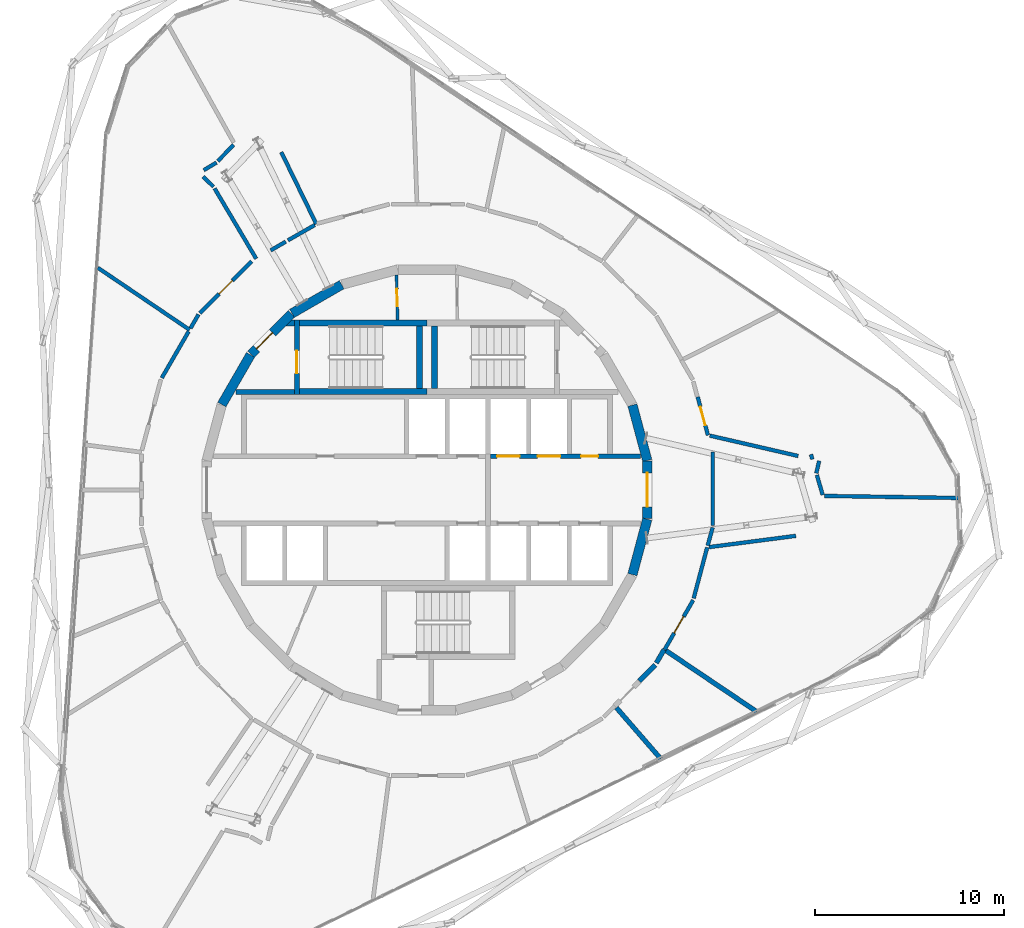
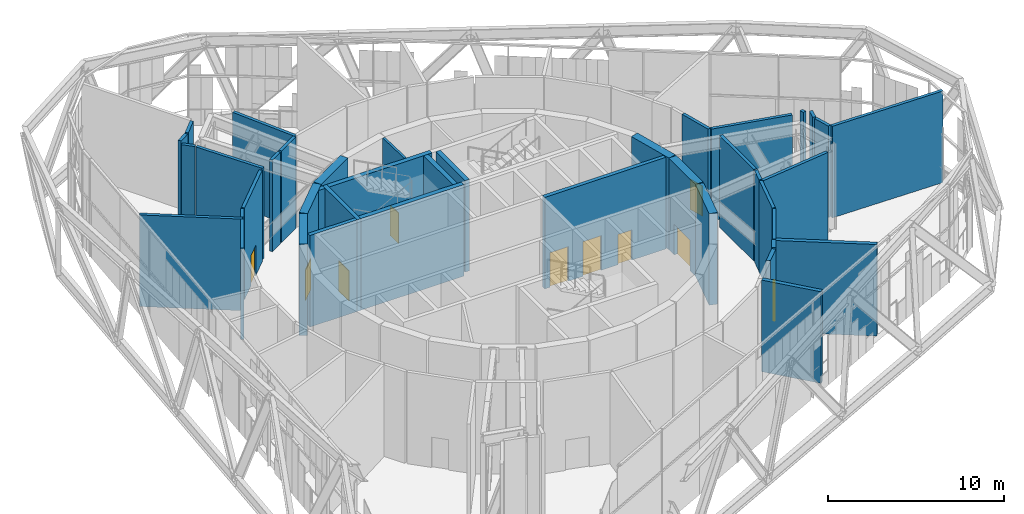
# One storey, part 20 of 24: 41 walls, 10 doors, 10 openings.
"""IFC4 building model written with IfcOpenShell, lengths in metres."""

from ifc_helpers import new_model, si_unit, direction, frame, frame_2d, origin, place, context, subcontext, project, spatial, polyline, rectangle, outline, extrude, material, layer, layer_set, type_object, element, fill, save


model = new_model("IFC4")

# Units and contexts
model_context = context("Model", 3, precision=1e-05, world=origin(), true_north=direction((0.0, 1.0)))
body_context = subcontext(model_context, "Body", "Model", "MODEL_VIEW")
ifc_project = project(units=[si_unit("LENGTHUNIT", "METRE"), si_unit("AREAUNIT", "SQUARE_METRE"), si_unit("VOLUMEUNIT", "CUBIC_METRE"), si_unit("PLANEANGLEUNIT", "RADIAN"), si_unit("MASSUNIT", "GRAM", prefix="KILO")], contexts=[model_context])

# Site, building, storey
site_placement = place(None, origin())
site = spatial("IfcSite", under=ifc_project, at=site_placement, CompositionType="ELEMENT")
building_placement = place(site_placement, origin())
building = spatial("IfcBuilding", under=site, at=building_placement, Name="Spindle Arch Residences", CompositionType="ELEMENT")
storey_placement = place(building_placement, frame((0.0, 0.0, 219.89990234375)))
storey = spatial("IfcBuildingStorey", under=building, at=storey_placement, Name="L56", CompositionType="ELEMENT", Elevation=219.89990234375)

# Wall
ifc_material_1 = material(Name="Concrete C50/60", Category="concrete")
ifc_layer_1 = layer(ifc_material_1, 0.5)
ifc_layer_set_1 = layer_set([ifc_layer_1], Name="Core outline wall 500")
wall_type_1 = type_object("IfcWallType", Name="Core outline wall 500", PredefinedType="SHEAR", material=ifc_layer_set_1)
wall_1_placement = place(storey_placement, frame((10.858154296875, -4.479248046875, 0.0), z_axis=(0.0, 0.0, 1.0), x_axis=(0.258734743916, 0.965948410781, 0.0)))
element("IfcWall", 1, at=wall_1_placement, inside=storey, type_object=wall_type_1, Name="Core outline wall 5", PredefinedType="SHEAR", context=body_context, shape_type="SweptSolid", body=[
    extrude(rectangle(XDim=3.03271484375, YDim=0.5, at=frame_2d((1.516357421875, 0.0))), origin(), (0.0, 0.0, 1.0), 6.35009765625),
])

# Wall, opening, door
wall_2_placement = place(storey_placement, frame((11.647216796875, -1.516357421875, 0.0), z_axis=(0.0, 0.0, 1.0), x_axis=(0.0, 1.0, 0.0)))
wall_2 = element("IfcWall", 2, at=wall_2_placement, inside=storey, type_object=wall_type_1, Name="Core outline wall 6", PredefinedType="SHEAR", context=body_context, shape_type="SweptSolid", body=[
    extrude(rectangle(XDim=3.03271484375, YDim=0.5, at=frame_2d((1.516357421875, 0.0))), origin(), (0.0, 0.0, 1.0), 6.35009765625),
])
opening_1_placement = place(wall_2_placement, frame((0.6162109375, 0.0, 0.0)))
opening_1 = element("IfcOpeningElement", 3, at=opening_1_placement, cuts=wall_2, Name="Opening L56-FE01", PredefinedType="OPENING", context=body_context, shape_type="SweptSolid", body=[
    extrude(rectangle(XDim=1.800048828125, YDim=2.10009765625, at=frame_2d((0.89990234375, 1.050048828125))), frame((0.0, 0.260009765625, 0.0), z_axis=(0.0, -1.0, 0.0), x_axis=(1.0, 0.0, 0.0)), (0.0, 0.0, 1.0), 0.52001953125),
])
ifc_material_2 = material(Name="Steel, fire-resisting door", Category="steel")
door_type_1 = type_object("IfcDoorType", Name="Fire-lift lobby door 1800x2100", OperationType="DOUBLE_DOOR_SINGLE_SWING", PredefinedType="DOOR", material=ifc_material_2)
door_1_placement = place(opening_1_placement, origin())
door_1 = element("IfcDoor", 4, at=door_1_placement, inside=storey, type_object=door_type_1, Name="Fire-lift lobby door L56-FE01", OperationType="DOUBLE_DOOR_SINGLE_SWING", OverallHeight=2.10009765625, OverallWidth=1.800048828125, PredefinedType="DOOR", context=body_context, shape_type="SweptSolid", body=[
    extrude(rectangle(XDim=1.800048828125, YDim=2.10009765625, at=frame_2d((0.89990234375, 1.050048828125))), frame((0.0, 0.02490234375, 0.0), z_axis=(0.0, -1.0, 0.0), x_axis=(1.0, 0.0, 0.0)), (0.0, 0.0, 1.0), 0.050048828125),
])
fill(opening_1, door_1)

# Walls
for number, where, z_axis, x_axis, name in (
    (5, (11.642822265625, 1.5498046875, 0.0), (0.0, 0.0, 1.0), (-0.258734743916, 0.965948410781, 0.0), "Core outline wall 7"),
    (6, (-4.510498046875, 10.84521484375, 0.0), (0.0, 0.0, 1.0), (-0.865975092491, -0.500087131594, 0.0), "Core outline wall 14"),
):
    element("IfcWall", number, at=place(storey_placement, frame(where, z_axis=z_axis, x_axis=x_axis)), inside=storey, type_object=wall_type_1, Name=name, PredefinedType="SHEAR", context=body_context, shape_type="SweptSolid", body=[
        extrude(rectangle(XDim=3.03271484375, YDim=0.5, at=frame_2d((1.516357421875, 0.0))), origin(), (0.0, 0.0, 1.0), 6.35009765625),
    ])

# Wall, opening, door
wall_3_placement = place(storey_placement, frame((-7.163818359375, 9.30810546875, 0.0), z_axis=(0.0, 0.0, 1.0), x_axis=(-0.707106781187, -0.707106781187, 0.0)))
wall_3 = element("IfcWall", 7, at=wall_3_placement, inside=storey, type_object=wall_type_1, Name="Core outline wall 15", PredefinedType="SHEAR", context=body_context, shape_type="SweptSolid", body=[
    extrude(rectangle(XDim=3.032470703125, YDim=0.5, at=frame_2d((1.51611328125, 0.0))), origin(), (0.0, 0.0, 1.0), 6.35009765625),
])
opening_2_placement = place(wall_3_placement, frame((1.416259765625, 0.0, 0.0)))
opening_2 = element("IfcOpeningElement", 8, at=opening_2_placement, cuts=wall_3, Name="Opening L56-AD02", PredefinedType="OPENING", context=body_context, shape_type="SweptSolid", body=[
    extrude(rectangle(XDim=1.199951171875, YDim=2.10009765625, at=frame_2d((0.60009765625, 1.050048828125))), frame((0.0, 0.260009765625, 0.0), z_axis=(0.0, -1.0, 0.0), x_axis=(1.0, 0.0, 0.0)), (0.0, 0.0, 1.0), 0.52001953125),
])
ifc_material_3 = material(Name="Steel, fire-resisting door", Category="steel")
door_type_2 = type_object("IfcDoorType", Name="Stair airlock door 1200x2100", OperationType="SINGLE_SWING_LEFT", PredefinedType="DOOR", material=ifc_material_3)
door_2_placement = place(opening_2_placement, origin())
door_2 = element("IfcDoor", 9, at=door_2_placement, inside=storey, type_object=door_type_2, Name="Stair airlock door L56-AD02", OperationType="SINGLE_SWING_RIGHT", OverallHeight=2.10009765625, OverallWidth=1.199951171875, PredefinedType="DOOR", context=body_context, shape_type="SweptSolid", body=[
    extrude(rectangle(XDim=1.199951171875, YDim=2.10009765625, at=frame_2d((0.60009765625, 1.050048828125))), frame((0.0, 0.02490234375, 0.0), z_axis=(0.0, -1.0, 0.0), x_axis=(1.0, 0.0, 0.0)), (0.0, 0.0, 1.0), 0.050048828125),
])
fill(opening_2, door_2)

# Wall
wall_4_placement = place(storey_placement, frame((-9.32861328125, 7.13671875, 0.0), z_axis=(0.0, 0.0, 1.0), x_axis=(-0.500087131594, -0.865975092491, 0.0)))
element("IfcWall", 10, at=wall_4_placement, inside=storey, type_object=wall_type_1, Name="Core outline wall 16", PredefinedType="SHEAR", context=body_context, shape_type="SweptSolid", body=[
    extrude(rectangle(XDim=3.03271484375, YDim=0.5, at=frame_2d((1.516357421875, 0.0))), origin(), (0.0, 0.0, 1.0), 6.35009765625),
])

# Wall, openings, doors
ifc_material_4 = material(Name="Concrete C40/50", Category="concrete")
ifc_layer_2 = layer(ifc_material_4, 0.25)
ifc_layer_set_2 = layer_set([ifc_layer_2], Name="Fire-lift lobby wall 250")
wall_type_2 = type_object("IfcWallType", Name="Fire-lift lobby wall 250", PredefinedType="SHEAR", material=ifc_layer_set_2)
wall_5_placement = place(storey_placement, frame((3.35009765625, 1.77490234375, 0.0), z_axis=(0.0, 0.0, 1.0), x_axis=(1.0, 0.0, 0.0)))
wall_5 = element("IfcWall", 11, at=wall_5_placement, inside=storey, type_object=wall_type_2, Name="Lift shaft front wall NE", PredefinedType="SHEAR", context=body_context, shape_type="SweptSolid", body=[
    extrude(rectangle(XDim=7.929931640625, YDim=0.25, at=frame_2d((3.96484375, 0.0))), origin(), (0.0, 0.0, 1.0), 6.35009765625),
])
opening_3_placement = place(wall_5_placement, frame((0.35009765625, 0.0, 0.0)))
opening_3 = element("IfcOpeningElement", 12, at=opening_3_placement, cuts=wall_5, Name="Opening L56-SLD01", PredefinedType="OPENING", context=body_context, shape_type="SweptSolid", body=[
    extrude(rectangle(XDim=1.199951171875, YDim=2.39990234375, at=frame_2d((0.60009765625, 1.199951171875))), frame((0.0, 0.135009765625, 0.0), z_axis=(0.0, -1.0, 0.0), x_axis=(1.0, 0.0, 0.0)), (0.0, 0.0, 1.0), 0.27001953125),
])
opening_4_placement = place(wall_5_placement, frame((2.5, 0.0, 0.0)))
opening_4 = element("IfcOpeningElement", 13, at=opening_4_placement, cuts=wall_5, Name="Opening L56-SLD02", PredefinedType="OPENING", context=body_context, shape_type="SweptSolid", body=[
    extrude(rectangle(XDim=1.199951171875, YDim=2.39990234375, at=frame_2d((0.60009765625, 1.199951171875))), frame((0.0, 0.135009765625, 0.0), z_axis=(0.0, -1.0, 0.0), x_axis=(1.0, 0.0, 0.0)), (0.0, 0.0, 1.0), 0.27001953125),
])
opening_5_placement = place(wall_5_placement, frame((4.800048828125, 0.0, 0.0)))
opening_5 = element("IfcOpeningElement", 14, at=opening_5_placement, cuts=wall_5, Name="Opening L56-WD02", PredefinedType="OPENING", context=body_context, shape_type="SweptSolid", body=[
    extrude(rectangle(XDim=0.89990234375, YDim=2.10009765625, at=frame_2d((0.449951171875, 1.050048828125))), frame((0.0, 0.135009765625, 0.0), z_axis=(0.0, -1.0, 0.0), x_axis=(1.0, 0.0, 0.0)), (0.0, 0.0, 1.0), 0.27001953125),
])
ifc_material_5 = material(Name="Steel, fire-resisting landing door", Category="steel")
door_type_3 = type_object("IfcDoorType", Name="Service lift landing door 1200x2400", OperationType="DOUBLE_DOOR_SLIDING", PredefinedType="DOOR", material=ifc_material_5)
door_3_placement = place(opening_3_placement, origin())
door_3 = element("IfcDoor", 15, at=door_3_placement, inside=storey, type_object=door_type_3, Name="Service lift landing door L56-SLD01", OperationType="DOUBLE_DOOR_SLIDING", OverallHeight=2.39990234375, OverallWidth=1.199951171875, PredefinedType="DOOR", context=body_context, shape_type="SweptSolid", body=[
    extrude(rectangle(XDim=1.199951171875, YDim=2.39990234375, at=frame_2d((0.60009765625, 1.199951171875))), frame((0.0, 0.02490234375, 0.0), z_axis=(0.0, -1.0, 0.0), x_axis=(1.0, 0.0, 0.0)), (0.0, 0.0, 1.0), 0.050048828125),
])
fill(opening_3, door_3)
door_4_placement = place(opening_4_placement, origin())
door_4 = element("IfcDoor", 16, at=door_4_placement, inside=storey, type_object=door_type_3, Name="Service lift landing door L56-SLD02", OperationType="DOUBLE_DOOR_SLIDING", OverallHeight=2.39990234375, OverallWidth=1.199951171875, PredefinedType="DOOR", context=body_context, shape_type="SweptSolid", body=[
    extrude(rectangle(XDim=1.199951171875, YDim=2.39990234375, at=frame_2d((0.60009765625, 1.199951171875))), frame((0.0, 0.02490234375, 0.0), z_axis=(0.0, -1.0, 0.0), x_axis=(1.0, 0.0, 0.0)), (0.0, 0.0, 1.0), 0.050048828125),
])
fill(opening_4, door_4)
ifc_material_6 = material(Name="Steel, fire-resisting door", Category="steel")
door_type_4 = type_object("IfcDoorType", Name="Service room door 900x2100", OperationType="SINGLE_SWING_LEFT", PredefinedType="DOOR", material=ifc_material_6)
door_5_placement = place(opening_5_placement, origin())
door_5 = element("IfcDoor", 17, at=door_5_placement, inside=storey, type_object=door_type_4, Name="Service room door L56-WD02", OperationType="SINGLE_SWING_RIGHT", OverallHeight=2.10009765625, OverallWidth=0.89990234375, PredefinedType="DOOR", context=body_context, shape_type="SweptSolid", body=[
    extrude(rectangle(XDim=0.89990234375, YDim=2.10009765625, at=frame_2d((0.449951171875, 1.050048828125))), frame((0.0, 0.02490234375, 0.0), z_axis=(0.0, -1.0, 0.0), x_axis=(1.0, 0.0, 0.0)), (0.0, 0.0, 1.0), 0.050048828125),
])
fill(opening_5, door_5)

# Walls
ifc_material_7 = material(Name="Concrete C25/30 wall", Category="concrete")
ifc_layer_3 = layer(ifc_material_7, 0.25)
ifc_layer_set_3 = layer_set([ifc_layer_3], Name="Partition EI 120 250 store")
wall_type_3 = type_object("IfcWallType", Name="Partition EI 120 250 store", PredefinedType="PARTITIONING", material=ifc_layer_set_3)
wall_6_placement = place(storey_placement, frame((10.011962890625, -11.514404296875, 0.0), z_axis=(0.0, 0.0, 1.0), x_axis=(0.655248263948, -0.755413603659, 0.0)))
element("IfcWall", 18, at=wall_6_placement, inside=storey, type_object=wall_type_3, Name="L56-W052", PredefinedType="PARTITIONING", context=body_context, shape_type="SweptSolid", body=[
    extrude(rectangle(XDim=3.568359375, YDim=0.25, at=frame_2d((1.7841796875, 0.0))), origin(), (0.0, 0.0, 1.0), 6.35009765625),
])
wall_7_placement = place(storey_placement, frame((11.219970703125, -10.10009765625, 0.0), z_axis=(0.0, 0.0, 1.0), x_axis=(0.707106781187, 0.707106781187, 0.0)))
element("IfcWall", 19, at=wall_7_placement, inside=storey, type_object=wall_type_3, Name="L56-W053", PredefinedType="PARTITIONING", context=body_context, shape_type="SweptSolid", body=[
    extrude(rectangle(XDim=1.18798828125, YDim=0.25, at=frame_2d((0.593994140625, 0.0))), origin(), (0.0, 0.0, 1.0), 6.35009765625),
])
wall_8_placement = place(storey_placement, frame((12.122802734375, -9.15185546875, 0.0), z_axis=(0.0, 0.0, 1.0), x_axis=(0.501830648268, 0.864965895546, 0.0)))
element("IfcWall", 20, at=wall_8_placement, inside=storey, type_object=wall_type_3, Name="L56-W054", PredefinedType="PARTITIONING", context=body_context, shape_type="SweptSolid", body=[
    extrude(rectangle(XDim=0.8115234375, YDim=0.25, at=frame_2d((0.40576171875, 0.0))), origin(), (0.0, 0.0, 1.0), 6.35009765625),
])
wall_9_placement = place(storey_placement, frame((12.56005859375, -8.449951171875, 0.0), z_axis=(0.0, 0.0, 1.0), x_axis=(0.829670163867, -0.558253902081, 0.0)))
element("IfcWall", 21, at=wall_9_placement, inside=storey, type_object=wall_type_3, Name="L56-W057", PredefinedType="PARTITIONING", context=body_context, shape_type="SweptSolid", body=[
    extrude(rectangle(XDim=5.857666015625, YDim=0.25, at=frame_2d((2.9287109375, 0.0))), origin(), (0.0, 0.0, 1.0), 6.35009765625),
])
ifc_material_8 = material(Name="Gypsum board partition on steel studs", Category="steel")
ifc_layer_4 = layer(ifc_material_8, 0.199951171875)
ifc_layer_set_4 = layer_set([ifc_layer_4], Name="Partition EI 60 200 amenity")
wall_type_4 = type_object("IfcWallType", Name="Partition EI 60 200 amenity", PredefinedType="PARTITIONING", material=ifc_layer_set_4)
wall_10_placement = place(storey_placement, frame((-12.550048828125, 8.4599609375, 0.0), z_axis=(0.0, 0.0, 1.0), x_axis=(-0.82834317232, 0.560221017877, 0.0)))
element("IfcWall", 22, at=wall_10_placement, inside=storey, type_object=wall_type_4, Name="L56-W013", PredefinedType="PARTITIONING", context=body_context, shape_type="SweptSolid", body=[
    extrude(rectangle(XDim=5.85498046875, YDim=0.199951171875, at=frame_2d((2.927490234375, 0.0))), origin(), (0.0, 0.0, 1.0), 6.35009765625),
])
wall_11_placement = place(storey_placement, frame((-12.60009765625, 8.37353515625, 0.0), z_axis=(0.0, 0.0, 1.0), x_axis=(-0.500357861848, -0.865818693542, 0.0)))
element("IfcWall", 23, at=wall_11_placement, inside=storey, type_object=wall_type_4, Name="L56-W014", PredefinedType="PARTITIONING", context=body_context, shape_type="SweptSolid", body=[
    extrude(rectangle(XDim=2.837890625, YDim=0.199951171875, at=frame_2d((1.4189453125, 0.0))), origin(), (0.0, 0.0, 1.0), 6.35009765625),
])
wall_12_placement = place(storey_placement, frame((-12.080078125, 9.27001953125, 0.0), z_axis=(0.0, 0.0, 1.0), x_axis=(-0.501691883225, -0.865046388528, 0.0)))
element("IfcWall", 24, at=wall_12_placement, inside=storey, type_object=wall_type_4, Name="L56-W016", PredefinedType="PARTITIONING", context=body_context, shape_type="SweptSolid", body=[
    extrude(rectangle(XDim=0.83642578125, YDim=0.199951171875, at=frame_2d((0.418212890625, 0.0))), origin(), (0.0, 0.0, 1.0), 6.35009765625),
])
wall_13_placement = place(storey_placement, frame((-11.840087890625, 16.56005859375, 0.0), z_axis=(0.0, 0.0, 1.0), x_axis=(0.719855495036, -0.694123955981, 0.0)))
element("IfcWall", 25, at=wall_13_placement, inside=storey, type_object=wall_type_4, Name="L56-W017", PredefinedType="PARTITIONING", context=body_context, shape_type="SweptSolid", body=[
    extrude(rectangle(XDim=0.778076171875, YDim=0.199951171875, at=frame_2d((0.38916015625, 0.0))), origin(), (0.0, 0.0, 1.0), 6.35009765625),
])
wall_14_placement = place(storey_placement, frame((-11.22900390625, 15.933837890625, 0.0), z_axis=(0.0, 0.0, 1.0), x_axis=(0.509487598, -0.860477999419, 0.0)))
element("IfcWall", 26, at=wall_14_placement, inside=storey, type_object=wall_type_4, Name="L56-W018", PredefinedType="PARTITIONING", context=body_context, shape_type="SweptSolid", body=[
    extrude(rectangle(XDim=4.316162109375, YDim=0.199951171875, at=frame_2d((2.158203125, 0.0))), origin(), (0.0, 0.0, 1.0), 6.35009765625),
])
wall_15_placement = place(storey_placement, frame((-11.1298828125, 17.300048828125, 0.0), z_axis=(0.0, 0.0, 1.0), x_axis=(-0.858594898926, -0.51265465914, 0.0)))
element("IfcWall", 27, at=wall_15_placement, inside=storey, type_object=wall_type_4, Name="L56-W019", PredefinedType="PARTITIONING", context=body_context, shape_type="SweptSolid", body=[
    extrude(rectangle(XDim=0.780517578125, YDim=0.199951171875, at=frame_2d((0.39013671875, 0.0))), origin(), (0.0, 0.0, 1.0), 6.35009765625),
])
wall_16_placement = place(storey_placement, frame((-11.060791015625, 17.372314453125, 0.0), z_axis=(0.0, 0.0, 1.0), x_axis=(0.691515547728, 0.722361576533, 0.0)))
element("IfcWall", 28, at=wall_16_placement, inside=storey, type_object=wall_type_4, Name="L56-W020", PredefinedType="PARTITIONING", context=body_context, shape_type="SweptSolid", body=[
    extrude(rectangle(XDim=1.2109375, YDim=0.199951171875, at=frame_2d((0.60546875, 0.0))), origin(), (0.0, 0.0, 1.0), 6.35009765625),
])

# Wall, opening, door
wall_17_placement = place(storey_placement, frame((-9.27001953125, 12.080078125, 0.0), z_axis=(0.0, 0.0, 1.0), x_axis=(-0.707106781187, -0.707106781187, 0.0)))
wall_17 = element("IfcWall", 29, at=wall_17_placement, inside=storey, type_object=wall_type_4, Name="L56-W025", PredefinedType="PARTITIONING", context=body_context, shape_type="SweptSolid", body=[
    extrude(rectangle(XDim=3.873779296875, YDim=0.199951171875, at=frame_2d((1.93701171875, 0.0))), origin(), (0.0, 0.0, 1.0), 6.35009765625),
])
opening_6_placement = place(wall_17_placement, frame((1.43701171875, 0.0, 0.0)))
opening_6 = element("IfcOpeningElement", 30, at=opening_6_placement, cuts=wall_17, Name="Opening L56-D15", PredefinedType="OPENING", context=body_context, shape_type="SweptSolid", body=[
    extrude(rectangle(XDim=1.0, YDim=2.10009765625, at=frame_2d((0.5, 1.050048828125))), frame((0.0, 0.10986328125, 0.0), z_axis=(0.0, -1.0, 0.0), x_axis=(1.0, 0.0, 0.0)), (0.0, 0.0, 1.0), 0.219970703125),
])
ifc_material_9 = material(Name="Timber door leaf", Category="wood")
door_type_5 = type_object("IfcDoorType", Name="Door 1000x2100 EI 30", OperationType="SINGLE_SWING_LEFT", PredefinedType="DOOR", material=ifc_material_9)
door_6_placement = place(opening_6_placement, origin())
door_6 = element("IfcDoor", 31, at=door_6_placement, inside=storey, type_object=door_type_5, Name="L56-D15", OperationType="SINGLE_SWING_LEFT", OverallHeight=2.10009765625, OverallWidth=1.0, PredefinedType="DOOR", context=body_context, shape_type="SweptSolid", body=[
    extrude(rectangle(XDim=1.0, YDim=2.10009765625, at=frame_2d((0.5, 1.050048828125))), frame((0.0, 0.02490234375, 0.0), z_axis=(0.0, -1.0, 0.0), x_axis=(1.0, 0.0, 0.0)), (0.0, 0.0, 1.0), 0.050048828125),
])
fill(opening_6, door_6)

# Walls
wall_18_placement = place(storey_placement, frame((-7.469970703125, 13.1201171875, 0.0), z_axis=(0.0, 0.0, 1.0), x_axis=(-0.865146697165, -0.501518885372, 0.0)))
element("IfcWall", 32, at=wall_18_placement, inside=storey, type_object=wall_type_4, Name="L56-W031", PredefinedType="PARTITIONING", context=body_context, shape_type="SweptSolid", body=[
    extrude(rectangle(XDim=0.917236328125, YDim=0.199951171875, at=frame_2d((0.45849609375, 0.0))), origin(), (0.0, 0.0, 1.0), 6.35009765625),
])
wall_19_placement = place(storey_placement, frame((-5.85009765625, 14.050048828125, 0.0), z_axis=(0.0, 0.0, 1.0), x_axis=(-0.438381599467, 0.898788948112, 0.0)))
element("IfcWall", 33, at=wall_19_placement, inside=storey, type_object=wall_type_4, Name="L56-W032", PredefinedType="PARTITIONING", context=body_context, shape_type="SweptSolid", body=[
    extrude(rectangle(XDim=4.234130859375, YDim=0.199951171875, at=frame_2d((2.1171875, 0.0))), origin(), (0.0, 0.0, 1.0), 6.35009765625),
])
wall_20_placement = place(storey_placement, frame((-5.936767578125, 14.000244140625, 0.0), z_axis=(0.0, 0.0, 1.0), x_axis=(-0.867532153034, -0.49738110484, 0.0)))
element("IfcWall", 34, at=wall_20_placement, inside=storey, type_object=wall_type_4, Name="L56-W033", PredefinedType="PARTITIONING", context=body_context, shape_type="SweptSolid", body=[
    extrude(rectangle(XDim=1.629150390625, YDim=0.199951171875, at=frame_2d((0.814453125, 0.0))), origin(), (0.0, 0.0, 1.0), 6.35009765625),
])

# Wall, opening, door
wall_21_placement = place(storey_placement, frame((12.557373046875, -8.447265625, 0.0), z_axis=(0.0, 0.0, 1.0), x_axis=(0.500412148236, 0.865787319091, 0.0)))
wall_21 = element("IfcWall", 35, at=wall_21_placement, inside=storey, type_object=wall_type_4, Name="L56-W056", PredefinedType="PARTITIONING", context=body_context, shape_type="SweptSolid", body=[
    extrude(rectangle(XDim=3.02294921875, YDim=0.199951171875, at=frame_2d((1.511474609375, 0.0))), origin(), (0.0, 0.0, 1.0), 6.35009765625),
])
opening_7_placement = place(wall_21_placement, frame((1.011474609375, 0.0, 0.0)))
opening_7 = element("IfcOpeningElement", 36, at=opening_7_placement, cuts=wall_21, Name="Opening L56-D07", PredefinedType="OPENING", context=body_context, shape_type="SweptSolid", body=[
    extrude(rectangle(XDim=1.0, YDim=2.10009765625, at=frame_2d((0.5, 1.050048828125))), frame((0.0, 0.10986328125, 0.0), z_axis=(0.0, -1.0, 0.0), x_axis=(1.0, 0.0, 0.0)), (0.0, 0.0, 1.0), 0.219970703125),
])
door_7_placement = place(opening_7_placement, origin())
door_7 = element("IfcDoor", 37, at=door_7_placement, inside=storey, type_object=door_type_5, Name="L56-D07", OperationType="SINGLE_SWING_LEFT", OverallHeight=2.10009765625, OverallWidth=1.0, PredefinedType="DOOR", context=body_context, shape_type="SweptSolid", body=[
    extrude(rectangle(XDim=1.0, YDim=2.10009765625, at=frame_2d((0.5, 1.050048828125))), frame((0.0, 0.02490234375, 0.0), z_axis=(0.0, -1.0, 0.0), x_axis=(1.0, 0.0, 0.0)), (0.0, 0.0, 1.0), 0.050048828125),
])
fill(opening_7, door_7)

# Walls
wall_22_placement = place(storey_placement, frame((14.095703125, -5.7333984375, 0.0), z_axis=(0.0, 0.0, 1.0), x_axis=(0.256364537332, 0.966580169463, 0.0)))
element("IfcWall", 38, at=wall_22_placement, inside=storey, type_object=wall_type_4, Name="L56-W060", PredefinedType="PARTITIONING", context=body_context, shape_type="SweptSolid", body=[
    extrude(rectangle(XDim=2.786376953125, YDim=0.199951171875, at=frame_2d((1.39306640625, 0.0))), origin(), (0.0, 0.0, 1.0), 6.35009765625),
])
wall_23_placement = place(storey_placement, frame((14.836669921875, -2.943603515625, 0.0), z_axis=(0.0, 0.0, 1.0), x_axis=(0.266269011442, 0.963898756896, 0.0)))
element("IfcWall", 39, at=wall_23_placement, inside=storey, type_object=wall_type_4, Name="L56-W062", PredefinedType="PARTITIONING", context=body_context, shape_type="SweptSolid", body=[
    extrude(rectangle(XDim=0.9892578125, YDim=0.199951171875, at=frame_2d((0.49462890625, 0.0))), origin(), (0.0, 0.0, 1.0), 6.35009765625),
])
wall_24_placement = place(storey_placement, frame((14.9091796875, -3.027099609375, 0.0), z_axis=(0.0, 0.0, 1.0), x_axis=(0.991670322306, 0.128802064645, 0.0)))
element("IfcWall", 40, at=wall_24_placement, inside=storey, type_object=wall_type_4, Name="L56-W063", PredefinedType="PARTITIONING", context=body_context, shape_type="SweptSolid", body=[
    extrude(rectangle(XDim=4.625, YDim=0.199951171875, at=frame_2d((2.3125, 0.0))), origin(), (0.0, 0.0, 1.0), 6.35009765625),
])

# Wall, opening, door
wall_25_placement = place(storey_placement, frame((14.85009765625, 2.889892578125, 0.0), z_axis=(0.0, 0.0, 1.0), x_axis=(-0.258273045435, 0.966071961089, 0.0)))
wall_25 = element("IfcWall", 41, at=wall_25_placement, inside=storey, type_object=wall_type_4, Name="L56-W064", PredefinedType="PARTITIONING", context=body_context, shape_type="SweptSolid", body=[
    extrude(rectangle(XDim=2.091064453125, YDim=0.199951171875, at=frame_2d((1.04541015625, 0.0))), origin(), (0.0, 0.0, 1.0), 6.35009765625),
])
opening_8_placement = place(wall_25_placement, frame((0.54541015625, 0.0, 0.0)))
opening_8 = element("IfcOpeningElement", 42, at=opening_8_placement, cuts=wall_25, Name="Opening L56-D11", PredefinedType="OPENING", context=body_context, shape_type="SweptSolid", body=[
    extrude(rectangle(XDim=1.0, YDim=2.10009765625, at=frame_2d((0.5, 1.050048828125))), frame((0.0, 0.10986328125, 0.0), z_axis=(0.0, -1.0, 0.0), x_axis=(1.0, 0.0, 0.0)), (0.0, 0.0, 1.0), 0.219970703125),
])
door_8_placement = place(opening_8_placement, origin())
door_8 = element("IfcDoor", 43, at=door_8_placement, inside=storey, type_object=door_type_5, Name="L56-D11", OperationType="SINGLE_SWING_LEFT", OverallHeight=2.10009765625, OverallWidth=1.0, PredefinedType="DOOR", context=body_context, shape_type="SweptSolid", body=[
    extrude(rectangle(XDim=1.0, YDim=2.10009765625, at=frame_2d((0.5, 1.050048828125))), frame((0.0, 0.02490234375, 0.0), z_axis=(0.0, -1.0, 0.0), x_axis=(1.0, 0.0, 0.0)), (0.0, 0.0, 1.0), 0.050048828125),
])
fill(opening_8, door_8)

# Walls
wall_26_placement = place(storey_placement, frame((15.10009765625, -1.889892578125, 0.0), z_axis=(0.0, 0.0, 1.0), x_axis=(0.0, 1.0, 0.0)))
element("IfcWall", 44, at=wall_26_placement, inside=storey, type_object=wall_type_4, Name="L56-W065", PredefinedType="PARTITIONING", context=body_context, shape_type="SweptSolid", body=[
    extrude(rectangle(XDim=3.8798828125, YDim=0.199951171875, at=frame_2d((1.93994140625, 0.0))), origin(), (0.0, 0.0, 1.0), 6.35009765625),
])
wall_27_placement = place(storey_placement, frame((19.6201171875, 1.7900390625, 0.0), z_axis=(0.0, 0.0, 1.0), x_axis=(-0.97443236775, 0.224681019849, 0.0)))
element("IfcWall", 45, at=wall_27_placement, inside=storey, type_object=wall_type_4, Name="L56-W067", PredefinedType="PARTITIONING", context=body_context, shape_type="SweptSolid", body=[
    extrude(rectangle(XDim=4.795166015625, YDim=0.199951171875, at=frame_2d((2.3974609375, 0.0))), origin(), (0.0, 0.0, 1.0), 6.35009765625),
])
wall_28_placement = place(storey_placement, frame((20.3701171875, 1.6201171875, 0.0), z_axis=(0.0, 0.0, 1.0), x_axis=(-0.30025502813, 0.953858961316, 0.0)))
element("IfcWall", 46, at=wall_28_placement, inside=storey, type_object=wall_type_4, Name="L56-W068", PredefinedType="PARTITIONING", context=body_context, shape_type="SweptSolid", body=[
    extrude(rectangle(XDim=0.2666015625, YDim=0.199951171875, at=frame_2d((0.13330078125, 0.0))), origin(), (0.0, 0.0, 1.0), 6.35009765625),
])
wall_29_placement = place(storey_placement, frame((20.580078125, 0.8798828125, 0.0), z_axis=(0.0, 0.0, 1.0), x_axis=(0.224672433131, 0.974434347604, 0.0)))
element("IfcWall", 47, at=wall_29_placement, inside=storey, type_object=wall_type_4, Name="L56-W069", PredefinedType="PARTITIONING", context=body_context, shape_type="SweptSolid", body=[
    extrude(rectangle(XDim=0.667236328125, YDim=0.199951171875, at=frame_2d((0.33349609375, 0.0))), origin(), (0.0, 0.0, 1.0), 6.35009765625),
])
wall_30_placement = place(storey_placement, frame((20.915283203125, -0.269287109375, 0.0), z_axis=(0.0, 0.0, 1.0), x_axis=(-0.280153802847, 0.959955127467, 0.0)))
element("IfcWall", 48, at=wall_30_placement, inside=storey, type_object=wall_type_4, Name="L56-W070", PredefinedType="PARTITIONING", context=body_context, shape_type="SweptSolid", body=[
    extrude(rectangle(XDim=1.09716796875, YDim=0.199951171875, at=frame_2d((0.548583984375, 0.0))), origin(), (0.0, 0.0, 1.0), 6.35009765625),
])
wall_31_placement = place(storey_placement, frame((21.003662109375, -0.321044921875, 0.0), z_axis=(0.0, 0.0, 1.0), x_axis=(0.999885546768, -0.01512922221, 0.0)))
element("IfcWall", 49, at=wall_31_placement, inside=storey, type_object=wall_type_4, Name="L56-W071", PredefinedType="PARTITIONING", context=body_context, shape_type="SweptSolid", body=[
    extrude(rectangle(XDim=7.197021484375, YDim=0.199951171875, at=frame_2d((3.5986328125, 0.0))), origin(), (0.0, 0.0, 1.0), 6.35009765625),
])

# Wall, opening, door
ifc_material_10 = material(Name="Concrete C25/30", Category="concrete")
ifc_layer_5 = layer(ifc_material_10, 0.14990234375)
ifc_layer_set_5 = layer_set([ifc_layer_5], Name="Service room partition 150")
wall_type_5 = type_object("IfcWallType", Name="Service room partition 150", PredefinedType="PARTITIONING", material=ifc_layer_set_5)
wall_32_placement = place(storey_placement, frame((-1.555419921875, 8.989990234375, 0.0), z_axis=(0.0, 0.0, 1.0), x_axis=(-0.024125549686, 0.999708936567, 0.0)))
wall_32 = element("IfcWall", 50, at=wall_32_placement, inside=storey, type_object=wall_type_5, Name="Core service room partition", PredefinedType="PARTITIONING", context=body_context, shape_type="SweptSolid", body=[
    extrude(rectangle(XDim=2.35791015625, YDim=0.14990234375, at=frame_2d((1.178955078125, 0.0))), origin(), (0.0, 0.0, 1.0), 6.35009765625),
])
opening_9_placement = place(wall_32_placement, frame((0.72900390625, 0.0, 0.0)))
opening_9 = element("IfcOpeningElement", 51, at=opening_9_placement, cuts=wall_32, Name="Opening L56-WD06", PredefinedType="OPENING", context=body_context, shape_type="SweptSolid", body=[
    extrude(rectangle(XDim=0.89990234375, YDim=2.10009765625, at=frame_2d((0.449951171875, 1.050048828125))), frame((0.0, 0.0849609375, 0.0), z_axis=(0.0, -1.0, 0.0), x_axis=(1.0, 0.0, 0.0)), (0.0, 0.0, 1.0), 0.169921875),
])
door_9_placement = place(opening_9_placement, origin())
door_9 = element("IfcDoor", 52, at=door_9_placement, inside=storey, type_object=door_type_4, Name="Service room door L56-WD06", OperationType="SINGLE_SWING_RIGHT", OverallHeight=2.10009765625, OverallWidth=0.89990234375, PredefinedType="DOOR", context=body_context, shape_type="SweptSolid", body=[
    extrude(rectangle(XDim=0.89990234375, YDim=2.10009765625, at=frame_2d((0.449951171875, 1.050048828125))), frame((0.0, 0.02490234375, 0.0), z_axis=(0.0, -1.0, 0.0), x_axis=(1.0, 0.0, 0.0)), (0.0, 0.0, 1.0), 0.050048828125),
])
fill(opening_9, door_9)

# Walls
ifc_material_11 = material(Name="Concrete C40/50", Category="concrete")
ifc_layer_6 = layer(ifc_material_11, 0.25)
ifc_layer_set_6 = layer_set([ifc_layer_6], Name="Stair airlock wall 250")
wall_type_6 = type_object("IfcWallType", Name="Stair airlock wall 250", PredefinedType="SHEAR", material=ifc_layer_set_6)
wall_33_placement = place(storey_placement, frame((-7.0, 5.175048828125, 0.0), z_axis=(0.0, 0.0, 1.0), x_axis=(-1.0, 0.0, 0.0)))
element("IfcWall", 53, at=wall_33_placement, inside=storey, type_object=wall_type_6, Name="Stair ST-2 airlock wall S", PredefinedType="SHEAR", context=body_context, shape_type="SweptSolid", body=[
    extrude(rectangle(XDim=3.10009765625, YDim=0.25, at=frame_2d((1.550048828125, 0.0))), origin(), (0.0, 0.0, 1.0), 6.35009765625),
])
ifc_material_12 = material(Name="Concrete C40/50", Category="concrete")
wall_type_7 = type_object("IfcWallType", Name="Stair airlock wall profile", PredefinedType="SHEAR", material=ifc_material_12)
wall_34_placement = place(storey_placement, origin())
element("IfcWall", 54, at=wall_34_placement, inside=storey, type_object=wall_type_7, Name="Stair ST-2 airlock wall N", PredefinedType="SHEAR", context=body_context, shape_type="SweptSolid", body=[
    extrude(outline(polyline([(-7.148193359375, 8.969970703125), (-7.0, 8.969970703125), (-7.0, 8.669921875), (-7.4482421875, 8.669921875), (-7.148193359375, 8.969970703125)])), origin(), (0.0, 0.0, 1.0), 6.35009765625),
])

# Wall, opening, door
ifc_material_13 = material(Name="Concrete C50/60", Category="concrete")
ifc_layer_7 = layer(ifc_material_13, 0.25)
ifc_layer_set_7 = layer_set([ifc_layer_7], Name="Stair enclosure wall 250")
wall_type_8 = type_object("IfcWallType", Name="Stair enclosure wall 250", PredefinedType="SHEAR", material=ifc_layer_set_7)
wall_35_placement = place(storey_placement, frame((-6.875, 8.969970703125, 0.0), z_axis=(0.0, 0.0, 1.0), x_axis=(0.0, -1.0, 0.0)))
wall_35 = element("IfcWall", 55, at=wall_35_placement, inside=storey, type_object=wall_type_8, Name="Stair ST-2 door wall", PredefinedType="SHEAR", context=body_context, shape_type="SweptSolid", body=[
    extrude(rectangle(XDim=3.919921875, YDim=0.25, at=frame_2d((1.9599609375, 0.0))), origin(), (0.0, 0.0, 1.0), 6.35009765625),
])
opening_10_placement = place(wall_35_placement, frame((1.610107421875, 0.0, 0.0)))
opening_10 = element("IfcOpeningElement", 56, at=opening_10_placement, cuts=wall_35, Name="Opening L56-SD02", PredefinedType="OPENING", context=body_context, shape_type="SweptSolid", body=[
    extrude(rectangle(XDim=1.199951171875, YDim=2.10009765625, at=frame_2d((0.60009765625, 1.050048828125))), frame((0.0, 0.135009765625, 0.0), z_axis=(0.0, -1.0, 0.0), x_axis=(1.0, 0.0, 0.0)), (0.0, 0.0, 1.0), 0.27001953125),
])
ifc_material_14 = material(Name="Steel, fire-resisting door", Category="steel")
door_type_6 = type_object("IfcDoorType", Name="Stair door 1200x2100", OperationType="SINGLE_SWING_RIGHT", PredefinedType="DOOR", material=ifc_material_14)
door_10_placement = place(opening_10_placement, origin())
door_10 = element("IfcDoor", 57, at=door_10_placement, inside=storey, type_object=door_type_6, Name="Stair door L56-SD02", OperationType="SINGLE_SWING_LEFT", OverallHeight=2.10009765625, OverallWidth=1.199951171875, PredefinedType="DOOR", context=body_context, shape_type="SweptSolid", body=[
    extrude(rectangle(XDim=1.199951171875, YDim=2.10009765625, at=frame_2d((0.60009765625, 1.050048828125))), frame((0.0, 0.02490234375, 0.0), z_axis=(0.0, -1.0, 0.0), x_axis=(1.0, 0.0, 0.0)), (0.0, 0.0, 1.0), 0.050048828125),
])
fill(opening_10, door_10)

# Walls
ifc_material_15 = material(Name="Concrete C50/60", Category="concrete")
ifc_layer_8 = layer(ifc_material_15, 0.300048828125)
ifc_layer_set_8 = layer_set([ifc_layer_8], Name="Stair enclosure wall 300")
wall_type_9 = type_object("IfcWallType", Name="Stair enclosure wall 300", PredefinedType="SHEAR", material=ifc_layer_set_8)
wall_36_placement = place(storey_placement, frame((0.39990234375, 5.35009765625, 0.0), z_axis=(0.0, 0.0, 1.0), x_axis=(0.0, 1.0, 0.0)))
element("IfcWall", 58, at=wall_36_placement, inside=storey, type_object=wall_type_9, Name="Stair ST-1 enclosure wall F", PredefinedType="SHEAR", context=body_context, shape_type="SweptSolid", body=[
    extrude(rectangle(XDim=3.31982421875, YDim=0.300048828125, at=frame_2d((1.659912109375, 0.0))), origin(), (0.0, 0.0, 1.0), 6.35009765625),
])
for number, where, z_axis, x_axis, name in (
    (59, (-6.75, 5.199951171875, 0.0), (0.0, 0.0, 1.0), (1.0, 0.0, 0.0), "Stair ST-2 enclosure wall S"),
    (60, (-6.75, 8.820068359375, 0.0), (0.0, 0.0, 1.0), (1.0, 0.0, 0.0), "Stair ST-2 enclosure wall N"),
):
    element("IfcWall", number, at=place(storey_placement, frame(where, z_axis=z_axis, x_axis=x_axis)), inside=storey, type_object=wall_type_9, Name=name, PredefinedType="SHEAR", context=body_context, shape_type="SweptSolid", body=[
        extrude(rectangle(XDim=6.75, YDim=0.300048828125, at=frame_2d((3.375, 0.0))), origin(), (0.0, 0.0, 1.0), 6.35009765625),
    ])
wall_37_placement = place(storey_placement, frame((-0.39990234375, 5.35009765625, 0.0), z_axis=(0.0, 0.0, 1.0), x_axis=(0.0, 1.0, 0.0)))
element("IfcWall", 61, at=wall_37_placement, inside=storey, type_object=wall_type_9, Name="Stair ST-2 enclosure wall F", PredefinedType="SHEAR", context=body_context, shape_type="SweptSolid", body=[
    extrude(rectangle(XDim=3.31982421875, YDim=0.300048828125, at=frame_2d((1.659912109375, 0.0))), origin(), (0.0, 0.0, 1.0), 6.35009765625),
])

save(model, "model.ifc")
